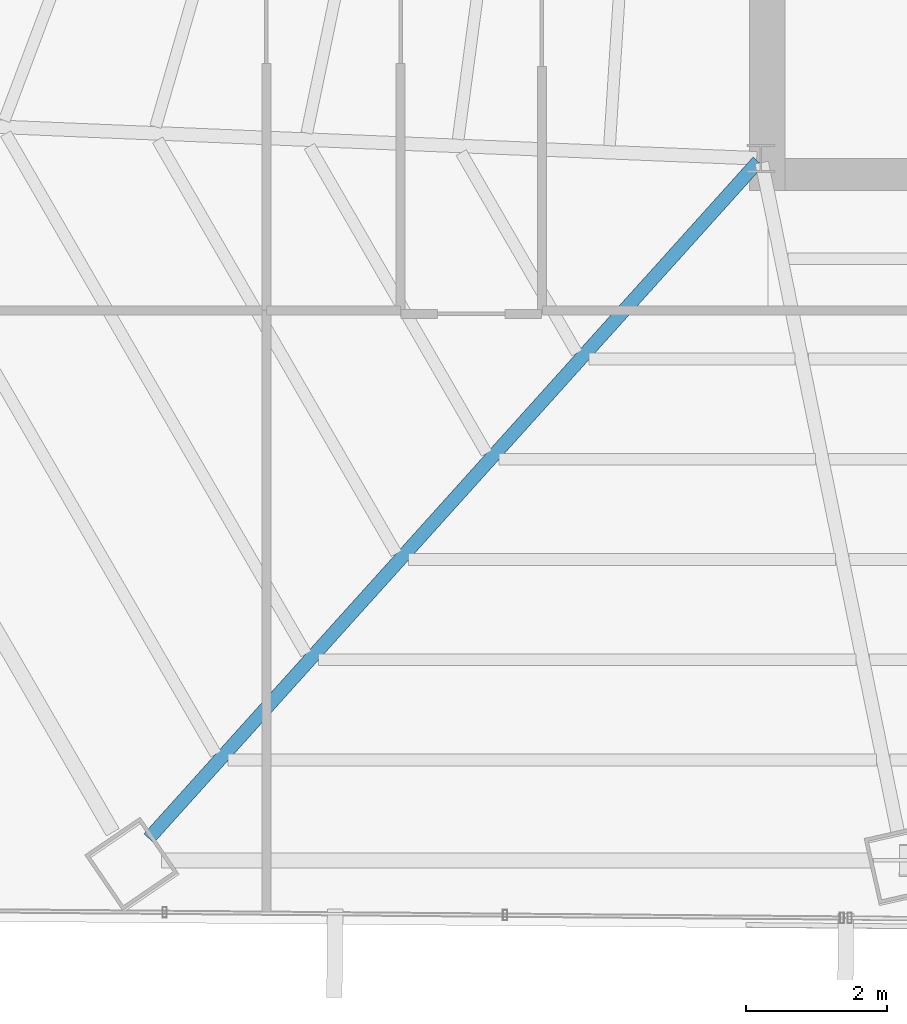
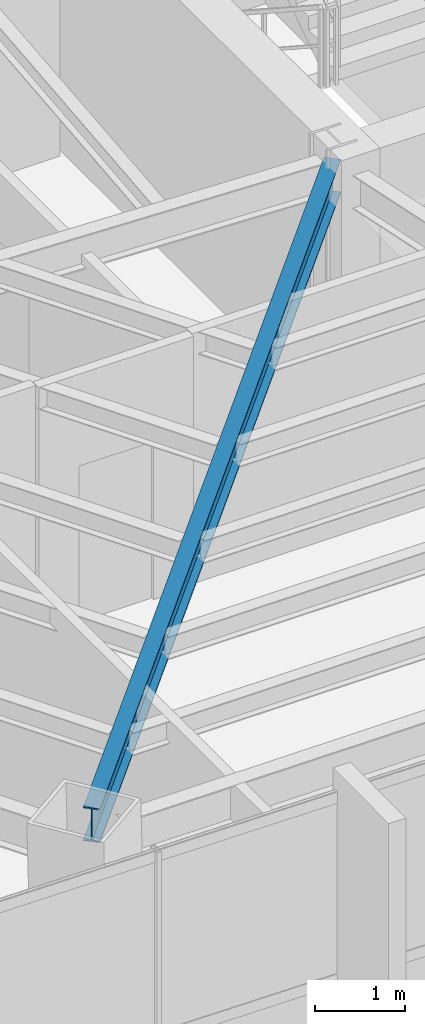
# One storey, part 5 of 38: 1 beam.
"""IFC4 building model written with IfcOpenShell, lengths in metres."""

from ifc_helpers import new_model, si_unit, direction, frame, origin, origin_2d, place, context, subcontext, project, spatial, i_section, extrude, source, transform, mapped, material, material_profile, profile_set, type_object, type_shapes, element, save


model = new_model("IFC4")

# Units and contexts
model_context = context("Model", 3, precision=1e-05, world=origin(), true_north=direction((0.0, 1.0)))
body_context = subcontext(model_context, "Body", "Model", "MODEL_VIEW")
ifc_project = project(units=[si_unit("LENGTHUNIT", "METRE"), si_unit("AREAUNIT", "SQUARE_METRE"), si_unit("VOLUMEUNIT", "CUBIC_METRE"), si_unit("PLANEANGLEUNIT", "RADIAN"), si_unit("MASSUNIT", "GRAM", prefix="KILO")], contexts=[model_context])

# Site, building, storey
site_placement = place(None, origin())
site = spatial("IfcSite", under=ifc_project, at=site_placement, CompositionType="ELEMENT")
building_placement = place(site_placement, origin())
building = spatial("IfcBuilding", under=site, at=building_placement, Name="Caelisora Broadcast Tower", CompositionType="ELEMENT")
storey_placement = place(building_placement, frame((0.0, 0.0, 158.5)))
storey = spatial("IfcBuildingStorey", under=building, at=storey_placement, Name="L41", CompositionType="ELEMENT", Elevation=158.5)

# Beam
ifc_material = material(Name="Steel Grade 350 (AS/NZS 3679.1)", Category="steel")
ifc_material_profile = material_profile(ifc_material, i_section(OverallWidth=0.19091796875, OverallDepth=0.46044921875, WebThickness=0.010009765625, FlangeThickness=0.01611328125, at=origin_2d()), Name="Steel Grade 350 (AS/NZS 3679.1)")
ifc_profile_set = profile_set([ifc_material_profile], Name="Steel Grade 350 (AS/NZS 3679.1)")
beam_type = type_object("IfcBeamType", Name="PG06", PredefinedType="BEAM", material=ifc_profile_set)
shared_shape = source(origin(), body_context, "Body", "SweptSolid", [
    extrude(i_section(OverallWidth=0.19091796875, OverallDepth=0.46044921875, WebThickness=0.010009765625, FlangeThickness=0.01611328125, at=origin_2d()), origin(), (0.0, 0.0, 1.0), 12.888427734375),
])
type_shapes(beam_type, [shared_shape])
beam_placement = place(storey_placement, frame((30.4599609375, 17.35546875, 3.169921875), z_axis=(-0.66909344811, -0.743178281233, 0.0), x_axis=(0.743178281233, -0.66909344811, 0.0)))
element("IfcBeam", 1, at=beam_placement, inside=storey, type_object=beam_type, Name="L41 beam PG06", PredefinedType="BEAM", context=body_context, shape_type="MappedRepresentation", body=[
    mapped(shared_shape, transform((0.0, 0.0, 0.0), scale=1.0)),
])

save(model, "model.ifc")
